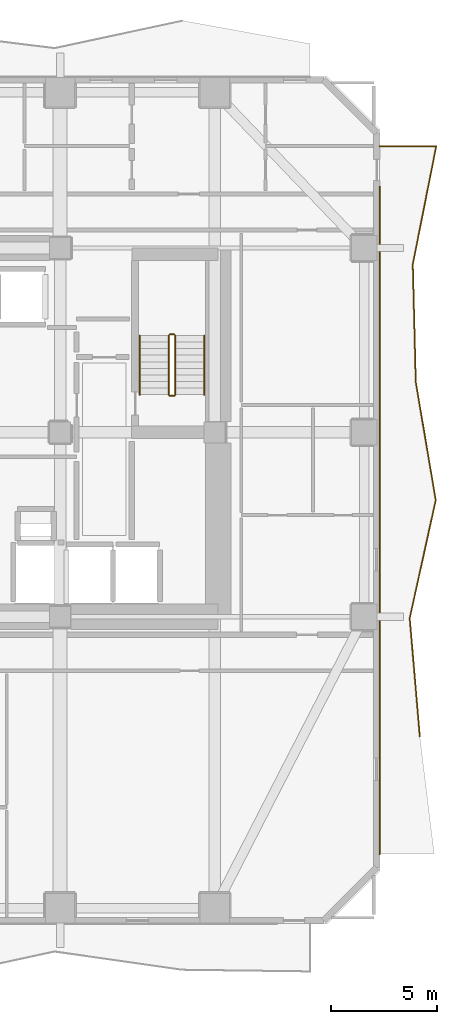
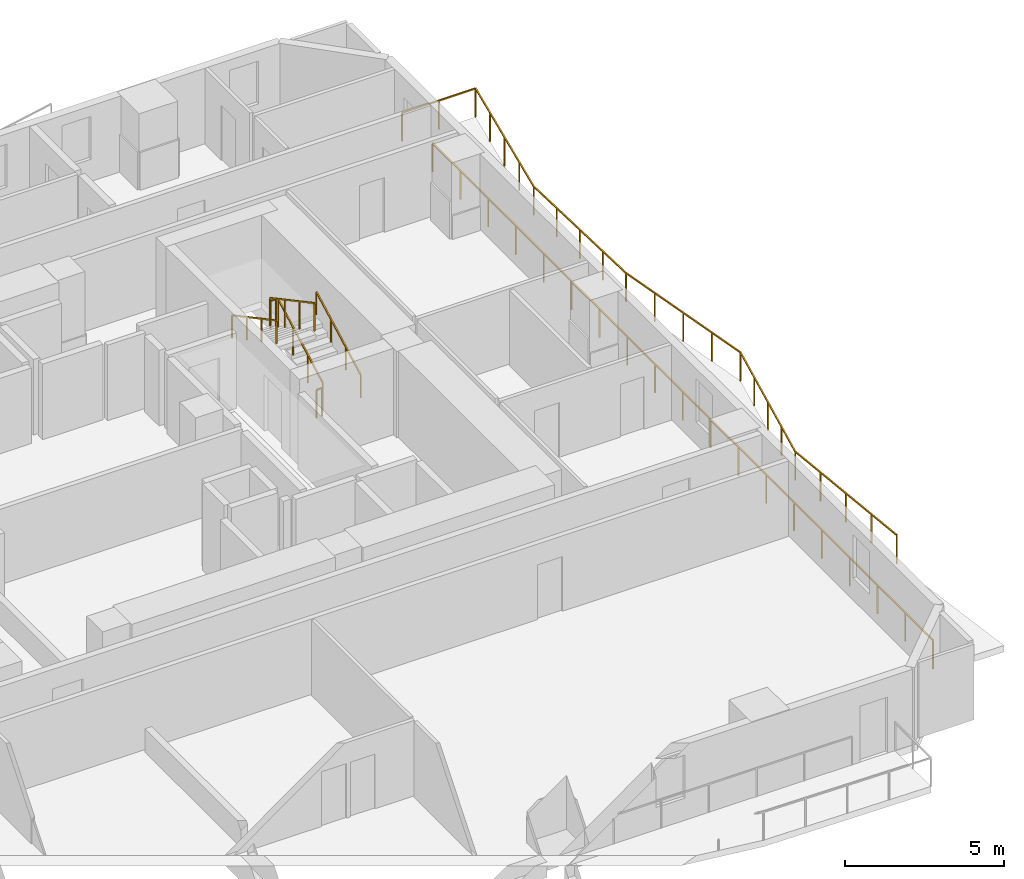
# One storey, part 9 of 10: 8 railings.
"""IFC4 building model written with IfcOpenShell, lengths in metres."""

from ifc_helpers import new_model, si_unit, direction, frame, origin, origin_2d, place, context, subcontext, project, spatial, rectangle, extrude, material, type_object, element, save


model = new_model("IFC4")

# Units and contexts
model_context = context("Model", 3, precision=1e-05, world=origin(), true_north=direction((0.0, 1.0)))
body_context = subcontext(model_context, "Body", "Model", "MODEL_VIEW")
ifc_project = project(units=[si_unit("LENGTHUNIT", "METRE"), si_unit("AREAUNIT", "SQUARE_METRE"), si_unit("VOLUMEUNIT", "CUBIC_METRE"), si_unit("PLANEANGLEUNIT", "RADIAN"), si_unit("MASSUNIT", "GRAM", prefix="KILO")], contexts=[model_context])

# Site, building, storey
site_placement = place(None, origin())
site = spatial("IfcSite", under=ifc_project, at=site_placement, CompositionType="ELEMENT")
building_placement = place(site_placement, origin())
building = spatial("IfcBuilding", under=site, at=building_placement, Name="Solanera Arch Residences", CompositionType="ELEMENT")
storey_placement = place(building_placement, frame((0.0, 0.0, 38.60009765625)))
storey = spatial("IfcBuildingStorey", under=building, at=storey_placement, Name="L10", CompositionType="ELEMENT", Elevation=38.60009765625)

# Railings
ifc_material_1 = material(Name="Steel S355 (ASTM A992 / A572 Grade 50)", Category="steel")
railing_type_1 = type_object("IfcRailingType", Name="Balustrade Railing BL-1100", PredefinedType="BALUSTRADE", material=ifc_material_1)
railing_1_placement = place(storey_placement, frame((46.175048828125, 16.366943359375, 0.0)))
element("IfcRailing", 1, at=railing_1_placement, inside=storey, type_object=railing_type_1, Name="L10 E Balcony Balustrade 1", PredefinedType="BALUSTRADE", context=body_context, shape_type="SweptSolid", body=[
    extrude(rectangle(XDim=0.048095703125, YDim=0.048095703125, at=origin_2d()), frame((0.0, 0.0, 1.09619140625), z_axis=(-0.085045387703, 0.996377078234, 0.0), x_axis=(-0.996377078234, -0.085045387703, 0.0)), (0.0, 0.0, 1.0), 5.58642578125),
    extrude(rectangle(XDim=0.048095703125, YDim=0.048095703125, at=origin_2d()), frame((-0.47509765625, 5.566162109375, 1.09619140625), z_axis=(0.21541566164, 0.976522448651, 0.0), x_axis=(-0.976522448651, 0.21541566164, 0.0)), (0.0, 0.0, 1.0), 5.70068359375),
    extrude(rectangle(XDim=0.048095703125, YDim=0.048095703125, at=origin_2d()), frame((0.7529296875, 11.133056640625, 1.09619140625), z_axis=(-0.166824673737, 0.985986576091, 0.0), x_axis=(-0.985986576091, -0.166824673737, 0.0)), (0.0, 0.0, 1.0), 5.64599609375),
    extrude(rectangle(XDim=0.048095703125, YDim=0.048095703125, at=origin_2d()), frame((-0.18896484375, 16.699951171875, 1.09619140625), z_axis=(-0.025168567442, 0.999683221432, 0.0), x_axis=(-0.999683221432, -0.025168567442, 0.0)), (0.0, 0.0, 1.0), 5.56787109375),
    extrude(rectangle(XDim=0.048095703125, YDim=0.048095703125, at=origin_2d()), frame((-0.3291015625, 22.26611328125, 1.09619140625), z_axis=(0.194527519919, 0.980897060855, 0.0), x_axis=(-0.980897060855, 0.194527519919, 0.0)), (0.0, 0.0, 1.0), 5.67529296875),
    extrude(rectangle(XDim=0.048095703125, YDim=0.048095703125, at=origin_2d()), frame((0.77490234375, 27.8330078125, 1.09619140625), z_axis=(-1.0, 0.0, 0.0), x_axis=(0.0, -1.0, 0.0)), (0.0, 0.0, 1.0), 2.669921875),
    extrude(rectangle(XDim=0.0419921875, YDim=0.0419921875, at=origin_2d()), origin(), (0.0, 0.0, 1.0), 1.072021484375),
    extrude(rectangle(XDim=0.0419921875, YDim=0.0419921875, at=origin_2d()), frame((-0.11865234375, 1.3916015625, 0.0)), (0.0, 0.0, 1.0), 1.072021484375),
    extrude(rectangle(XDim=0.0419921875, YDim=0.0419921875, at=origin_2d()), frame((-0.237548828125, 2.783203125, 0.0)), (0.0, 0.0, 1.0), 1.072021484375),
    extrude(rectangle(XDim=0.0419921875, YDim=0.0419921875, at=origin_2d()), frame((-0.3564453125, 4.174560546875, 0.0)), (0.0, 0.0, 1.0), 1.072021484375),
    extrude(rectangle(XDim=0.0419921875, YDim=0.0419921875, at=origin_2d()), frame((-0.47509765625, 5.566162109375, 0.0)), (0.0, 0.0, 1.0), 1.072021484375),
    extrude(rectangle(XDim=0.0419921875, YDim=0.0419921875, at=origin_2d()), frame((-0.16796875, 6.9580078125, 0.0)), (0.0, 0.0, 1.0), 1.072021484375),
    extrude(rectangle(XDim=0.0419921875, YDim=0.0419921875, at=origin_2d()), frame((0.138916015625, 8.349609375, 0.0)), (0.0, 0.0, 1.0), 1.072021484375),
    extrude(rectangle(XDim=0.0419921875, YDim=0.0419921875, at=origin_2d()), frame((0.44580078125, 9.7412109375, 0.0)), (0.0, 0.0, 1.0), 1.072021484375),
    extrude(rectangle(XDim=0.0419921875, YDim=0.0419921875, at=origin_2d()), frame((0.7529296875, 11.133056640625, 0.0)), (0.0, 0.0, 1.0), 1.072021484375),
    extrude(rectangle(XDim=0.0419921875, YDim=0.0419921875, at=origin_2d()), frame((0.517578125, 12.52490234375, 0.0)), (0.0, 0.0, 1.0), 1.072021484375),
    extrude(rectangle(XDim=0.0419921875, YDim=0.0419921875, at=origin_2d()), frame((0.281982421875, 13.91650390625, 0.0)), (0.0, 0.0, 1.0), 1.072021484375),
    extrude(rectangle(XDim=0.0419921875, YDim=0.0419921875, at=origin_2d()), frame((0.04638671875, 15.30810546875, 0.0)), (0.0, 0.0, 1.0), 1.072021484375),
    extrude(rectangle(XDim=0.0419921875, YDim=0.0419921875, at=origin_2d()), frame((-0.18896484375, 16.699951171875, 0.0)), (0.0, 0.0, 1.0), 1.072021484375),
    extrude(rectangle(XDim=0.0419921875, YDim=0.0419921875, at=origin_2d()), frame((-0.22412109375, 18.091552734375, 0.0)), (0.0, 0.0, 1.0), 1.072021484375),
    extrude(rectangle(XDim=0.0419921875, YDim=0.0419921875, at=origin_2d()), frame((-0.259033203125, 19.48291015625, 0.0)), (0.0, 0.0, 1.0), 1.072021484375),
    extrude(rectangle(XDim=0.0419921875, YDim=0.0419921875, at=origin_2d()), frame((-0.2939453125, 20.87451171875, 0.0)), (0.0, 0.0, 1.0), 1.072021484375),
    extrude(rectangle(XDim=0.0419921875, YDim=0.0419921875, at=origin_2d()), frame((-0.3291015625, 22.26611328125, 0.0)), (0.0, 0.0, 1.0), 1.072021484375),
    extrude(rectangle(XDim=0.0419921875, YDim=0.0419921875, at=origin_2d()), frame((-0.05322265625, 23.65771484375, 0.0)), (0.0, 0.0, 1.0), 1.072021484375),
    extrude(rectangle(XDim=0.0419921875, YDim=0.0419921875, at=origin_2d()), frame((0.222900390625, 25.049560546875, 0.0)), (0.0, 0.0, 1.0), 1.072021484375),
    extrude(rectangle(XDim=0.0419921875, YDim=0.0419921875, at=origin_2d()), frame((0.4990234375, 26.44140625, 0.0)), (0.0, 0.0, 1.0), 1.072021484375),
    extrude(rectangle(XDim=0.0419921875, YDim=0.0419921875, at=origin_2d()), frame((0.77490234375, 27.8330078125, 0.0)), (0.0, 0.0, 1.0), 1.072021484375),
    extrude(rectangle(XDim=0.0419921875, YDim=0.0419921875, at=origin_2d()), frame((-0.56005859375, 27.8330078125, 0.0)), (0.0, 0.0, 1.0), 1.072021484375),
    extrude(rectangle(XDim=0.0419921875, YDim=0.0419921875, at=origin_2d()), frame((-1.89501953125, 27.8330078125, 0.0)), (0.0, 0.0, 1.0), 1.072021484375),
])
railing_2_placement = place(storey_placement, frame((44.280029296875, 42.283935546875, 0.0)))
element("IfcRailing", 2, at=railing_2_placement, inside=storey, type_object=railing_type_1, Name="L10 E Balcony Balustrade 2", PredefinedType="BALUSTRADE", context=body_context, shape_type="SweptSolid", body=[
    extrude(rectangle(XDim=0.048095703125, YDim=0.048095703125, at=origin_2d()), frame((0.0, 0.0, 1.09619140625), z_axis=(0.0, -1.0, 0.0), x_axis=(1.0, 0.0, 0.0)), (0.0, 0.0, 1.0), 31.48388671875),
    extrude(rectangle(XDim=0.0419921875, YDim=0.0419921875, at=origin_2d()), origin(), (0.0, 0.0, 1.0), 1.072021484375),
    extrude(rectangle(XDim=0.0419921875, YDim=0.0419921875, at=origin_2d()), frame((0.0, -1.7490234375, 0.0)), (0.0, 0.0, 1.0), 1.072021484375),
    extrude(rectangle(XDim=0.0419921875, YDim=0.0419921875, at=origin_2d()), frame((0.0, -3.498291015625, 0.0)), (0.0, 0.0, 1.0), 1.072021484375),
    extrude(rectangle(XDim=0.0419921875, YDim=0.0419921875, at=origin_2d()), frame((0.0, -5.247314453125, 0.0)), (0.0, 0.0, 1.0), 1.072021484375),
    extrude(rectangle(XDim=0.0419921875, YDim=0.0419921875, at=origin_2d()), frame((0.0, -6.996337890625, 0.0)), (0.0, 0.0, 1.0), 1.072021484375),
    extrude(rectangle(XDim=0.0419921875, YDim=0.0419921875, at=origin_2d()), frame((0.0, -8.74560546875, 0.0)), (0.0, 0.0, 1.0), 1.072021484375),
    extrude(rectangle(XDim=0.0419921875, YDim=0.0419921875, at=origin_2d()), frame((0.0, -10.49462890625, 0.0)), (0.0, 0.0, 1.0), 1.072021484375),
    extrude(rectangle(XDim=0.0419921875, YDim=0.0419921875, at=origin_2d()), frame((0.0, -12.24365234375, 0.0)), (0.0, 0.0, 1.0), 1.072021484375),
    extrude(rectangle(XDim=0.0419921875, YDim=0.0419921875, at=origin_2d()), frame((0.0, -13.992919921875, 0.0)), (0.0, 0.0, 1.0), 1.072021484375),
    extrude(rectangle(XDim=0.0419921875, YDim=0.0419921875, at=origin_2d()), frame((0.0, -15.741943359375, 0.0)), (0.0, 0.0, 1.0), 1.072021484375),
    extrude(rectangle(XDim=0.0419921875, YDim=0.0419921875, at=origin_2d()), frame((0.0, -17.490966796875, 0.0)), (0.0, 0.0, 1.0), 1.072021484375),
    extrude(rectangle(XDim=0.0419921875, YDim=0.0419921875, at=origin_2d()), frame((0.0, -19.240234375, 0.0)), (0.0, 0.0, 1.0), 1.072021484375),
    extrude(rectangle(XDim=0.0419921875, YDim=0.0419921875, at=origin_2d()), frame((0.0, -20.9892578125, 0.0)), (0.0, 0.0, 1.0), 1.072021484375),
    extrude(rectangle(XDim=0.0419921875, YDim=0.0419921875, at=origin_2d()), frame((0.0, -22.73828125, 0.0)), (0.0, 0.0, 1.0), 1.072021484375),
    extrude(rectangle(XDim=0.0419921875, YDim=0.0419921875, at=origin_2d()), frame((0.0, -24.487548828125, 0.0)), (0.0, 0.0, 1.0), 1.072021484375),
    extrude(rectangle(XDim=0.0419921875, YDim=0.0419921875, at=origin_2d()), frame((0.0, -26.236572265625, 0.0)), (0.0, 0.0, 1.0), 1.072021484375),
    extrude(rectangle(XDim=0.0419921875, YDim=0.0419921875, at=origin_2d()), frame((0.0, -27.985595703125, 0.0)), (0.0, 0.0, 1.0), 1.072021484375),
    extrude(rectangle(XDim=0.0419921875, YDim=0.0419921875, at=origin_2d()), frame((0.0, -29.73486328125, 0.0)), (0.0, 0.0, 1.0), 1.072021484375),
    extrude(rectangle(XDim=0.0419921875, YDim=0.0419921875, at=origin_2d()), frame((0.0, -31.48388671875, 0.0)), (0.0, 0.0, 1.0), 1.072021484375),
])
ifc_material_2 = material(Name="Steel S355 (ASTM A992 / A572 Grade 50)", Category="steel")
railing_type_2 = type_object("IfcRailingType", Name="Stair Guardrail GR-1100", PredefinedType="GUARDRAIL", material=ifc_material_2)
railing_3_placement = place(storey_placement, frame((34.6298828125, 32.47998046875, 0.15087890625)))
element("IfcRailing", 3, at=railing_3_placement, inside=storey, type_object=railing_type_2, Name="L10 ST-T2 stair guard 1", PredefinedType="GUARDRAIL", context=body_context, shape_type="SweptSolid", body=[
    extrude(rectangle(XDim=0.048095703125, YDim=0.048095703125, at=origin_2d()), frame((0.0, 0.0, 1.076171875), z_axis=(0.0, 0.881548766853, 0.472092969298), x_axis=(-1.0, 0.0, 0.0)), (0.0, 0.0, 1.0), 3.1650390625),
    extrude(rectangle(XDim=0.0419921875, YDim=0.0419921875, at=origin_2d()), origin(), (0.0, 0.0, 1.0), 1.052001953125),
    extrude(rectangle(XDim=0.0419921875, YDim=0.0419921875, at=origin_2d()), frame((0.0, 0.929931640625, 0.498046875)), (0.0, 0.0, 1.0), 1.052001953125),
    extrude(rectangle(XDim=0.0419921875, YDim=0.0419921875, at=origin_2d()), frame((0.0, 1.860107421875, 0.99609375)), (0.0, 0.0, 1.0), 1.052001953125),
    extrude(rectangle(XDim=0.0419921875, YDim=0.0419921875, at=origin_2d()), frame((0.0, 2.7900390625, 1.494140625)), (0.0, 0.0, 1.0), 1.052001953125),
])
railing_4_placement = place(storey_placement, frame((34.580078125, 35.320068359375, 1.64501953125)))
element("IfcRailing", 4, at=railing_4_placement, inside=storey, type_object=railing_type_2, Name="L10 ST-T2 stair guard 2", PredefinedType="GUARDRAIL", context=body_context, shape_type="SweptSolid", body=[
    extrude(rectangle(XDim=0.048095703125, YDim=0.048095703125, at=origin_2d()), frame((0.0, 0.0, 1.076171875), z_axis=(-1.0, 0.0, 0.0), x_axis=(0.0, -1.0, 0.0)), (0.0, 0.0, 1.0), 0.2001953125),
    extrude(rectangle(XDim=0.0419921875, YDim=0.0419921875, at=origin_2d()), origin(), (0.0, 0.0, 1.0), 1.052001953125),
    extrude(rectangle(XDim=0.0419921875, YDim=0.0419921875, at=origin_2d()), frame((-0.2001953125, 0.0, 0.0)), (0.0, 0.0, 1.0), 1.052001953125),
])
railing_5_placement = place(storey_placement, frame((34.330078125, 35.27001953125, 1.810791015625)))
element("IfcRailing", 5, at=railing_5_placement, inside=storey, type_object=railing_type_2, Name="L10 ST-T2 stair guard 3", PredefinedType="GUARDRAIL", context=body_context, shape_type="SweptSolid", body=[
    extrude(rectangle(XDim=0.048095703125, YDim=0.048095703125, at=origin_2d()), frame((0.0, 0.0, 1.076171875), z_axis=(0.0, -0.881548766853, 0.472092969298), x_axis=(1.0, 0.0, 0.0)), (0.0, 0.0, 1.0), 3.1650390625),
    extrude(rectangle(XDim=0.0419921875, YDim=0.0419921875, at=origin_2d()), origin(), (0.0, 0.0, 1.0), 1.052001953125),
    extrude(rectangle(XDim=0.0419921875, YDim=0.0419921875, at=origin_2d()), frame((0.0, -0.929931640625, 0.498046875)), (0.0, 0.0, 1.0), 1.052001953125),
    extrude(rectangle(XDim=0.0419921875, YDim=0.0419921875, at=origin_2d()), frame((0.0, -1.860107421875, 0.99609375)), (0.0, 0.0, 1.0), 1.052001953125),
    extrude(rectangle(XDim=0.0419921875, YDim=0.0419921875, at=origin_2d()), frame((0.0, -2.7900390625, 1.494140625)), (0.0, 0.0, 1.0), 1.052001953125),
])
railing_6_placement = place(storey_placement, frame((34.580078125, 32.429931640625, -0.01513671875)))
element("IfcRailing", 6, at=railing_6_placement, inside=storey, type_object=railing_type_2, Name="L10 ST-T2 stair guard 4", PredefinedType="GUARDRAIL", context=body_context, shape_type="SweptSolid", body=[
    extrude(rectangle(XDim=0.048095703125, YDim=0.048095703125, at=origin_2d()), frame((0.0, 0.0, 1.076171875), z_axis=(-1.0, 0.0, 0.0), x_axis=(0.0, -1.0, 0.0)), (0.0, 0.0, 1.0), 0.2001953125),
    extrude(rectangle(XDim=0.0419921875, YDim=0.0419921875, at=origin_2d()), origin(), (0.0, 0.0, 1.0), 1.052001953125),
    extrude(rectangle(XDim=0.0419921875, YDim=0.0419921875, at=origin_2d()), frame((-0.2001953125, 0.0, 0.0)), (0.0, 0.0, 1.0), 1.052001953125),
])
ifc_material_3 = material(Name="Steel S355 (ASTM A992 / A572 Grade 50)", Category="steel")
railing_type_3 = type_object("IfcRailingType", Name="Stair Wall Handrail HR-920", PredefinedType="HANDRAIL", material=ifc_material_3)
railing_7_placement = place(storey_placement, frame((36.010009765625, 32.47998046875, 0.166015625)))
element("IfcRailing", 7, at=railing_7_placement, inside=storey, type_object=railing_type_3, Name="L10 ST-T2 stair handrail 1", PredefinedType="HANDRAIL", context=body_context, shape_type="SweptSolid", body=[
    extrude(rectangle(XDim=0.048095703125, YDim=0.048095703125, at=origin_2d()), frame((0.0, 0.0, 0.8759765625), z_axis=(0.0, 0.881580869306, 0.472033018838), x_axis=(-1.0, 0.0, 0.0)), (0.0, 0.0, 1.0), 3.164794921875),
    extrude(rectangle(XDim=0.0419921875, YDim=0.0419921875, at=origin_2d()), origin(), (0.0, 0.0, 1.0), 0.851806640625),
    extrude(rectangle(XDim=0.0419921875, YDim=0.0419921875, at=origin_2d()), frame((0.0, 0.929931640625, 0.498046875)), (0.0, 0.0, 1.0), 0.851806640625),
    extrude(rectangle(XDim=0.0419921875, YDim=0.0419921875, at=origin_2d()), frame((0.0, 1.860107421875, 0.995849609375)), (0.0, 0.0, 1.0), 0.851806640625),
    extrude(rectangle(XDim=0.0419921875, YDim=0.0419921875, at=origin_2d()), frame((0.0, 2.7900390625, 1.493896484375)), (0.0, 0.0, 1.0), 0.851806640625),
])
railing_8_placement = place(storey_placement, frame((32.949951171875, 35.27001953125, 1.825927734375)))
element("IfcRailing", 8, at=railing_8_placement, inside=storey, type_object=railing_type_3, Name="L10 ST-T2 stair handrail 2", PredefinedType="HANDRAIL", context=body_context, shape_type="SweptSolid", body=[
    extrude(rectangle(XDim=0.048095703125, YDim=0.048095703125, at=origin_2d()), frame((0.0, 0.0, 0.8759765625), z_axis=(0.0, -0.881580869306, 0.472033018838), x_axis=(1.0, 0.0, 0.0)), (0.0, 0.0, 1.0), 3.164794921875),
    extrude(rectangle(XDim=0.0419921875, YDim=0.0419921875, at=origin_2d()), origin(), (0.0, 0.0, 1.0), 0.851806640625),
    extrude(rectangle(XDim=0.0419921875, YDim=0.0419921875, at=origin_2d()), frame((0.0, -0.929931640625, 0.498046875)), (0.0, 0.0, 1.0), 0.851806640625),
    extrude(rectangle(XDim=0.0419921875, YDim=0.0419921875, at=origin_2d()), frame((0.0, -1.860107421875, 0.995849609375)), (0.0, 0.0, 1.0), 0.851806640625),
    extrude(rectangle(XDim=0.0419921875, YDim=0.0419921875, at=origin_2d()), frame((0.0, -2.7900390625, 1.493896484375)), (0.0, 0.0, 1.0), 0.851806640625),
])

save(model, "model.ifc")
